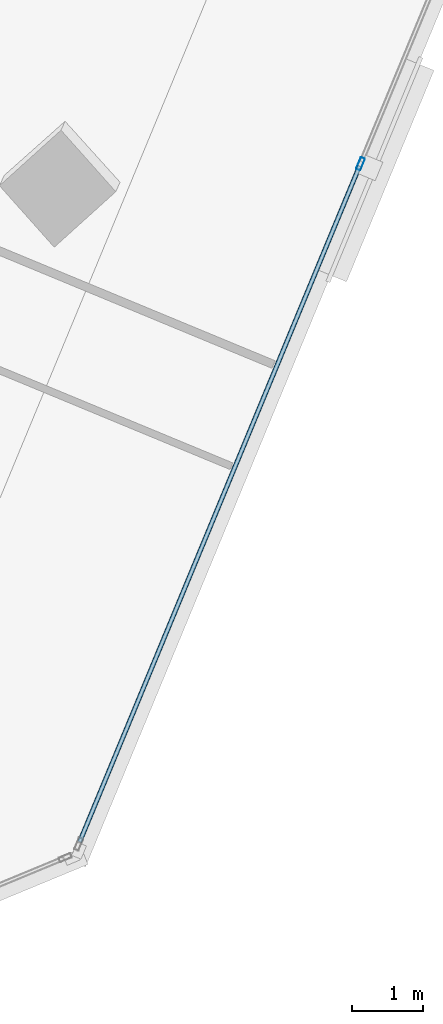
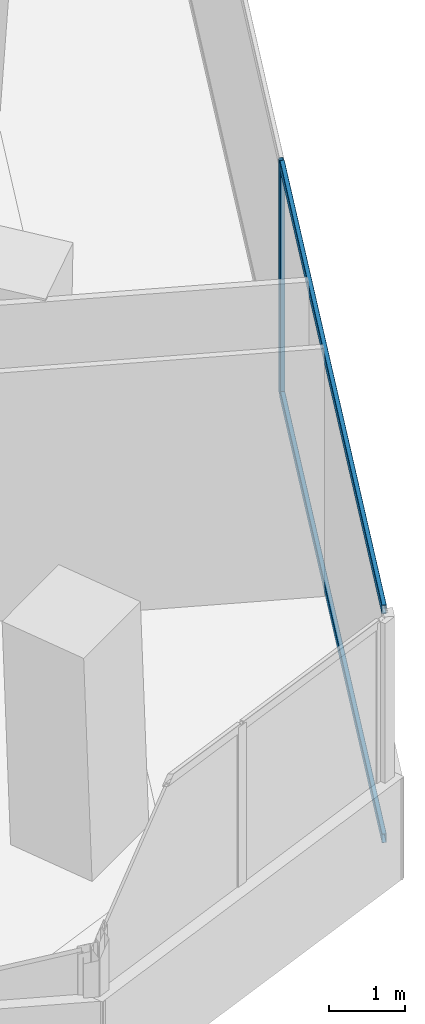
# One storey, part 7 of 22: 3 members, 1 element without a shape of its own.
"""IFC4 building model written with IfcOpenShell, lengths in metres."""

from ifc_helpers import new_model, si_unit, direction, frame, origin, origin_2d, place, context, subcontext, project, spatial, hollow_rectangle, extrude, source, transform, mapped, material, material_profile, profile_set, type_object, element, aggregate, save


model = new_model("IFC4")

# Units and contexts
model_context = context("Model", 3, precision=1e-05, world=origin(), true_north=direction((0.0, 1.0)))
body_context = subcontext(model_context, "Body", "Model", "MODEL_VIEW")
ifc_project = project(units=[si_unit("LENGTHUNIT", "METRE"), si_unit("AREAUNIT", "SQUARE_METRE"), si_unit("VOLUMEUNIT", "CUBIC_METRE"), si_unit("PLANEANGLEUNIT", "RADIAN"), si_unit("MASSUNIT", "GRAM", prefix="KILO")], contexts=[model_context])

# Site, building, storey
site_placement = place(None, origin())
site = spatial("IfcSite", under=ifc_project, at=site_placement, CompositionType="ELEMENT")
building_placement = place(site_placement, origin())
building = spatial("IfcBuilding", under=site, at=building_placement, Name="Torre Montelarca", CompositionType="ELEMENT")
storey_placement = place(building_placement, frame((0.0, 0.0, 149.800048828125)))
storey = spatial("IfcBuildingStorey", under=building, at=storey_placement, Name="L33", CompositionType="ELEMENT", Elevation=149.800048828125)

# Curtain wall, members
ifc_material_1 = material(Name="Insulated low-E laminated glass", Category="glass")
curtain_wall_type = type_object("IfcCurtainWallType", Name="CW-SYS-Z2", PredefinedType="USERDEFINED", material=ifc_material_1)
curtain_wall_placement = place(storey_placement, origin())
curtain_wall = element("IfcCurtainWall", 1, at=curtain_wall_placement, inside=storey, type_object=curtain_wall_type, Name="L33 Curtain Wall Run CW-T3-L33-E06-B1", ObjectType="UNITISED GLAZING", PredefinedType="USERDEFINED")
ifc_material_2 = material(Name="Anodised aluminium AA 6063-T6", Category="aluminium")
ifc_material_profile_1 = material_profile(ifc_material_2, hollow_rectangle(XDim=0.06494140625, YDim=0.139892578125, WallThickness=0.00390625, InnerFilletRadius=0.00390625, OuterFilletRadius=0.008056640625, at=origin_2d()), Name="ALU65X140X4", Category="aluminium")
ifc_profile_set_1 = profile_set([ifc_material_profile_1], Name="Anodised aluminium AA 6063-T6")
member_type_1 = type_object("IfcMemberType", Name="CWT-ALU140", PredefinedType="USERDEFINED", material=ifc_profile_set_1)
shared_shape_1 = source(origin(), body_context, "Body", "SweptSolid", [
    extrude(hollow_rectangle(XDim=0.06494140625, YDim=0.139892578125, WallThickness=0.00390625, InnerFilletRadius=0.00390625, OuterFilletRadius=0.008056640625, at=origin_2d()), origin(), (0.0, 0.0, 1.0), 10.236572265625),
])
member_1_placement = place(storey_placement, frame((45.995361328125, 12.037353515625, 0.032470703125), z_axis=(0.382667045409, 0.923886320041, 0.0), x_axis=(-0.923886320041, 0.382667045409, 0.0)))
member_1 = element("IfcMember", 2, at=member_1_placement, type_object=member_type_1, Name="CW transom 1.1", ObjectType="TRANSOM", PredefinedType="USERDEFINED", context=body_context, shape_type="MappedRepresentation", body=[
    mapped(shared_shape_1, transform((0.0, 0.0, 0.0), scale=1.0)),
])
member_2_placement = place(storey_placement, frame((45.995361328125, 12.037353515625, 3.6875), z_axis=(0.382667045409, 0.923886320041, 0.0), x_axis=(-0.923886320041, 0.382667045409, 0.0)))
member_2 = element("IfcMember", 3, at=member_2_placement, type_object=member_type_1, Name="CW transom 1.2", ObjectType="TRANSOM", PredefinedType="USERDEFINED", context=body_context, shape_type="MappedRepresentation", body=[
    mapped(shared_shape_1, transform((0.0, 0.0, 0.0), scale=1.0)),
])
ifc_material_profile_2 = material_profile(ifc_material_2, hollow_rectangle(XDim=0.06494140625, YDim=0.179931640625, WallThickness=0.00390625, InnerFilletRadius=0.00390625, OuterFilletRadius=0.008056640625, at=origin_2d()), Name="ALU65X180X4", Category="aluminium")
ifc_profile_set_2 = profile_set([ifc_material_profile_2], Name="Anodised aluminium AA 6063-T6")
member_type_2 = type_object("IfcMemberType", Name="CWM-ALU180", PredefinedType="MULLION", material=ifc_profile_set_2)
shared_shape_2 = source(origin(), body_context, "Body", "SweptSolid", [
    extrude(hollow_rectangle(XDim=0.06494140625, YDim=0.179931640625, WallThickness=0.00390625, InnerFilletRadius=0.00390625, OuterFilletRadius=0.008056640625, at=origin_2d()), origin(), (0.0, 0.0, 1.0), 3.719970703125),
])
member_3_placement = place(storey_placement, frame((49.925048828125, 21.52490234375, 0.0), z_axis=(0.0, 0.0, 1.0), x_axis=(-0.923881379508, 0.38267897329, 0.0)))
member_3 = element("IfcMember", 4, at=member_3_placement, type_object=member_type_2, Name="CW mullion 2", PredefinedType="MULLION", context=body_context, shape_type="MappedRepresentation", body=[
    mapped(shared_shape_2, transform((0.0, 0.0, 0.0), scale=1.0)),
])
aggregate(curtain_wall, [member_3, member_1, member_2])

save(model, "model.ifc")
